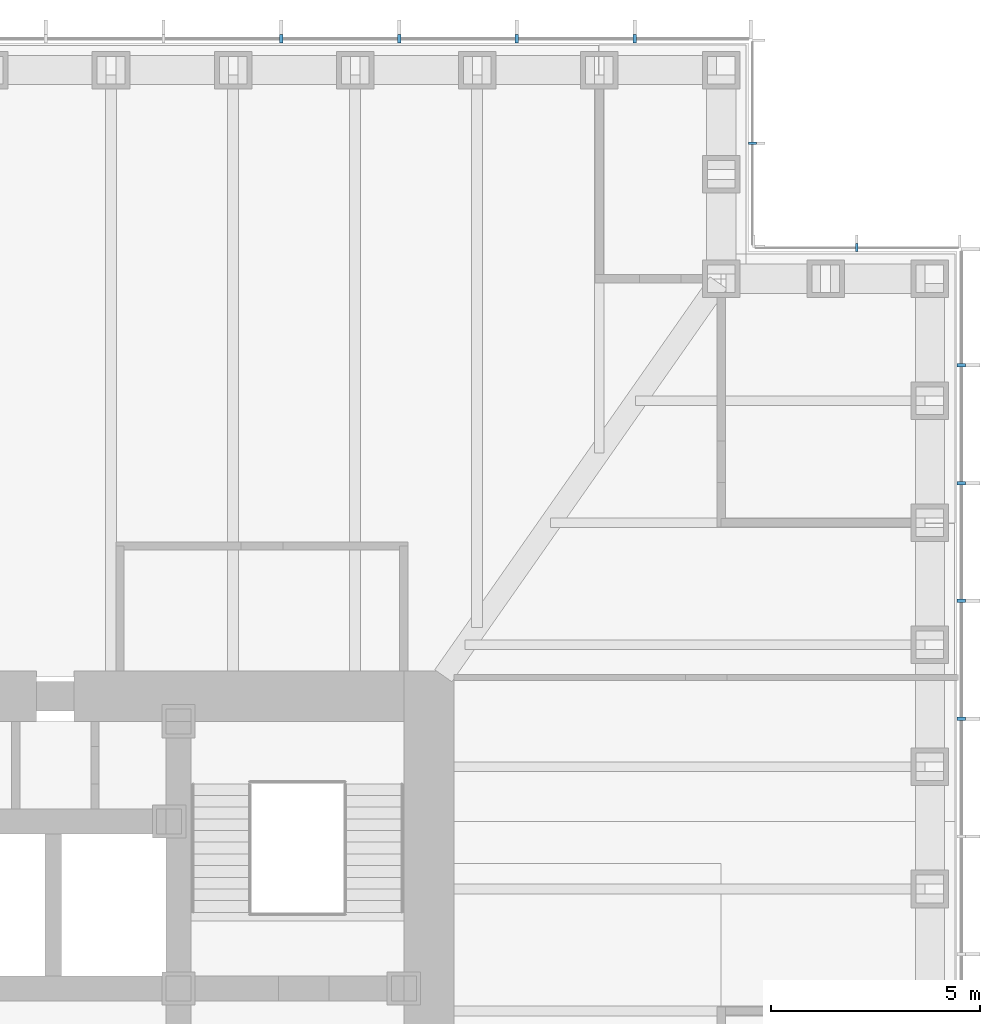
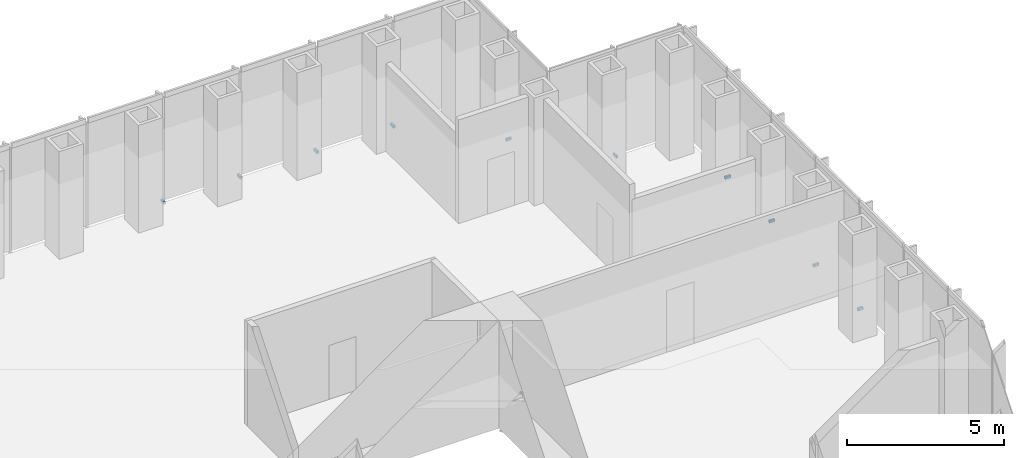
# One storey, part 15 of 16: 10 discrete accessories.
"""IFC4 building model written with IfcOpenShell, lengths in metres."""

from ifc_helpers import new_model, si_unit, direction, frame, origin, origin_2d, place, context, subcontext, project, spatial, rectangle, extrude, element, save


model = new_model("IFC4")

# Units and contexts
model_context = context("Model", 3, precision=1e-05, world=origin(), true_north=direction((0.0, 1.0)))
body_context = subcontext(model_context, "Body", "Model", "MODEL_VIEW")
ifc_project = project(units=[si_unit("LENGTHUNIT", "METRE"), si_unit("AREAUNIT", "SQUARE_METRE"), si_unit("VOLUMEUNIT", "CUBIC_METRE"), si_unit("PLANEANGLEUNIT", "RADIAN"), si_unit("MASSUNIT", "GRAM", prefix="KILO")], contexts=[model_context])

# Site, building, storey
site_placement = place(None, origin())
site = spatial("IfcSite", under=ifc_project, at=site_placement, CompositionType="ELEMENT")
building_placement = place(site_placement, origin())
building = spatial("IfcBuilding", under=site, at=building_placement, Name="Daluyong Arena Tower", CompositionType="ELEMENT")
storey_placement = place(building_placement, frame((0.0, 0.0, 64.300048828125)))
storey = spatial("IfcBuildingStorey", under=building, at=storey_placement, Name="L13", CompositionType="ELEMENT", Elevation=64.300048828125)

# Discrete accessories
for number, where, z_axis, x_axis, name in (
    (1, (80.75, 88.46435546875, -0.10009765625), (0.0, 0.0, 1.0), (0.0, 1.0, 0.0), "curtain wall L13 E anchor bracket 11"),
    (2, (80.75, 91.28564453125, -0.10009765625), (0.0, 0.0, 1.0), (0.0, 1.0, 0.0), "curtain wall L13 E anchor bracket 12"),
    (3, (80.75, 94.107177734375, -0.10009765625), (0.0, 0.0, 1.0), (0.0, 1.0, 0.0), "curtain wall L13 E anchor bracket 13"),
    (4, (80.75, 96.928466796875, -0.10009765625), (0.0, 0.0, 1.0), (0.0, 1.0, 0.0), "curtain wall L13 E anchor bracket 14"),
):
    element("IfcDiscreteAccessory", number, at=place(storey_placement, frame(where, z_axis=z_axis, x_axis=x_axis)), inside=storey, Name=name, PredefinedType="BRACKET", context=body_context, shape_type="SweptSolid", body=[
        extrude(rectangle(XDim=0.080078125, YDim=0.199951171875, at=origin_2d()), origin(), (0.0, 0.0, 1.0), 0.10009765625),
    ])
for number, where, z_axis, x_axis, name in (
    (5, (78.25, 99.75, -0.10009765625), (0.0, 0.0, 1.0), (-1.0, 0.0, 0.0), "curtain wall L13 NE-N anchor bracket 2"),
    (6, (75.75, 102.25, -0.10009765625), (0.0, 0.0, 1.0), (0.0, 1.0, 0.0), "curtain wall L13 NE-E anchor bracket 2"),
):
    element("IfcDiscreteAccessory", number, at=place(storey_placement, frame(where, z_axis=z_axis, x_axis=x_axis)), inside=storey, Name=name, PredefinedType="BRACKET", context=body_context, shape_type="SweptSolid", body=[
        extrude(rectangle(XDim=0.06005859375, YDim=0.199951171875, at=origin_2d()), origin(), (0.0, 0.0, 1.0), 0.10009765625),
    ])
for number, where, z_axis, x_axis, name in (
    (7, (72.928466796875, 104.75, -0.10009765625), (0.0, 0.0, 1.0), (-1.0, 0.0, 0.0), "curtain wall L13 N anchor bracket 2"),
    (8, (70.107177734375, 104.75, -0.10009765625), (0.0, 0.0, 1.0), (-1.0, 0.0, 0.0), "curtain wall L13 N anchor bracket 3"),
    (9, (67.28564453125, 104.75, -0.10009765625), (0.0, 0.0, 1.0), (-1.0, 0.0, 0.0), "curtain wall L13 N anchor bracket 4"),
    (10, (64.46435546875, 104.75, -0.10009765625), (0.0, 0.0, 1.0), (-1.0, 0.0, 0.0), "curtain wall L13 N anchor bracket 5"),
):
    element("IfcDiscreteAccessory", number, at=place(storey_placement, frame(where, z_axis=z_axis, x_axis=x_axis)), inside=storey, Name=name, PredefinedType="BRACKET", context=body_context, shape_type="SweptSolid", body=[
        extrude(rectangle(XDim=0.080078125, YDim=0.199951171875, at=origin_2d()), origin(), (0.0, 0.0, 1.0), 0.10009765625),
    ])

save(model, "model.ifc")
